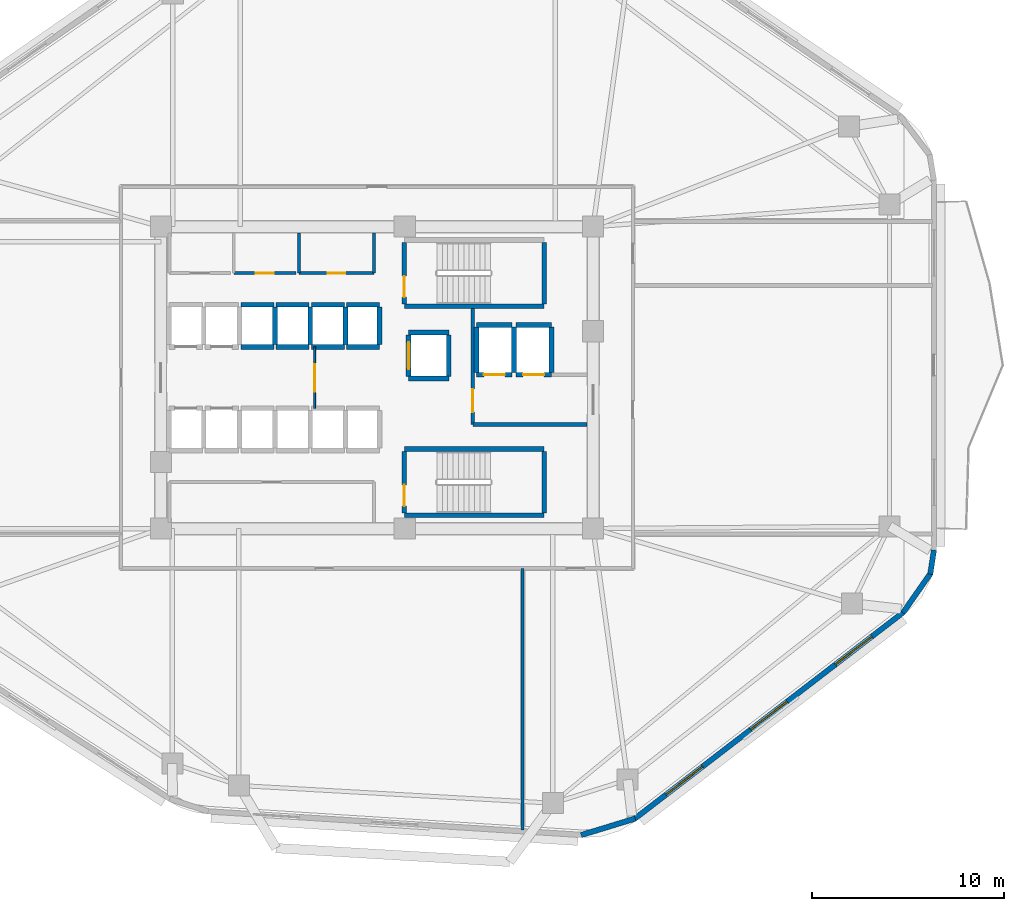
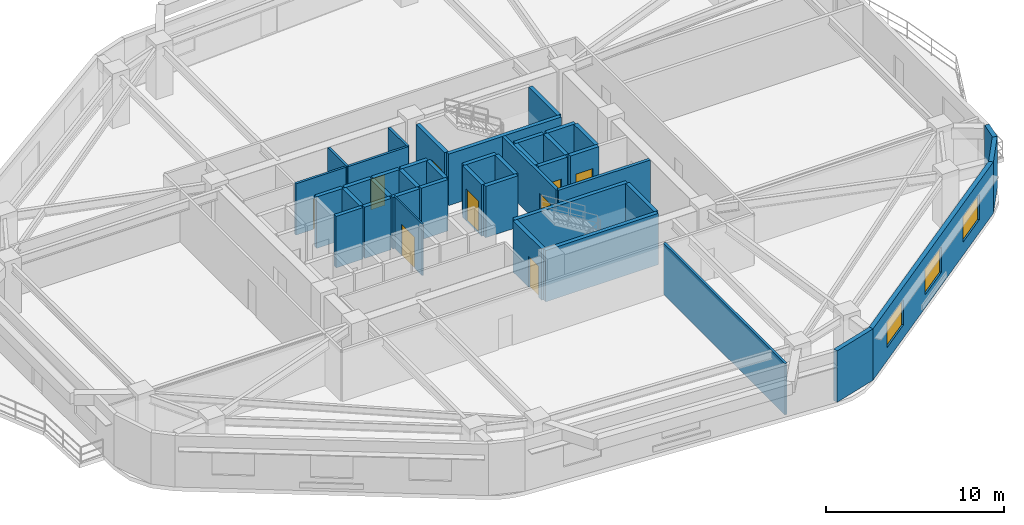
# One storey, part 4 of 9: 42 walls, 9 doors, 3 windows, 12 openings.
"""IFC4 building model written with IfcOpenShell, lengths in metres."""

from ifc_helpers import new_model, si_unit, direction, frame, frame_2d, origin, place, context, subcontext, project, spatial, rectangle, extrude, material, layer, layer_set, type_object, element, fill, save


model = new_model("IFC4")

# Units and contexts
model_context = context("Model", 3, precision=1e-05, world=origin(), true_north=direction((0.0, 1.0)))
body_context = subcontext(model_context, "Body", "Model", "MODEL_VIEW")
ifc_project = project(units=[si_unit("LENGTHUNIT", "METRE"), si_unit("AREAUNIT", "SQUARE_METRE"), si_unit("VOLUMEUNIT", "CUBIC_METRE"), si_unit("PLANEANGLEUNIT", "RADIAN"), si_unit("MASSUNIT", "GRAM", prefix="KILO")], contexts=[model_context])

# Site, building, storey
site_placement = place(None, origin())
site = spatial("IfcSite", under=ifc_project, at=site_placement, CompositionType="ELEMENT")
building_placement = place(site_placement, origin())
building = spatial("IfcBuilding", under=site, at=building_placement, Name="Zulverin Broadcast Headquarters", CompositionType="ELEMENT")
storey_placement = place(building_placement, frame((0.0, 0.0, 104.800048828125)))
storey = spatial("IfcBuildingStorey", under=building, at=storey_placement, Name="L26", CompositionType="ELEMENT", Elevation=104.800048828125)

# Wall, openings, windows
ifc_material_1 = material(Name="Insulated pale-metal clad concrete spandrel C40/50", Category="concrete")
ifc_layer_1 = layer(ifc_material_1, 0.280029296875, Name="Insulated pale-metal clad concrete spandrel C40/50", Category="concrete")
ifc_layer_set_1 = layer_set([ifc_layer_1], Name="Insulated pale-metal clad concrete spandrel C40/50")
wall_type_1 = type_object("IfcWallType", Name="WL-EXT-280", PredefinedType="STANDARD", material=ifc_layer_set_1)
wall_1_placement = place(storey_placement, frame((50.4287109375, 2.171630859375, 0.0), z_axis=(0.0, 0.0, 1.0), x_axis=(0.792937466367, 0.609303023488, 0.0)))
wall_1 = element("IfcWall", 1, at=wall_1_placement, inside=storey, type_object=wall_type_1, Name="L26 Pale-Metal Clad Spandrel Wall 2", PredefinedType="STANDARD", context=body_context, shape_type="SweptSolid", body=[
    extrude(rectangle(XDim=17.712890625, YDim=0.280029296875, at=frame_2d((8.8564453125, 0.0))), origin(), (0.0, 0.0, 1.0), 3.52490234375),
])
opening_1_placement = place(wall_1_placement, frame((2.08544921875, 0.0, 0.89990234375)))
opening_1 = element("IfcOpeningElement", 2, at=opening_1_placement, cuts=wall_1, Name="Opening W-L26-E21", PredefinedType="OPENING", context=body_context, shape_type="SweptSolid", body=[
    extrude(rectangle(XDim=2.39990234375, YDim=1.75, at=frame_2d((1.199951171875, 0.875))), frame((0.0, 0.14990234375, 0.0), z_axis=(0.0, -1.0, 0.0), x_axis=(1.0, 0.0, 0.0)), (0.0, 0.0, 1.0), 0.300048828125),
])
opening_2_placement = place(wall_1_placement, frame((7.656494140625, 0.0, 0.89990234375)))
opening_2 = element("IfcOpeningElement", 3, at=opening_2_placement, cuts=wall_1, Name="Opening W-L26-E22", PredefinedType="OPENING", context=body_context, shape_type="SweptSolid", body=[
    extrude(rectangle(XDim=2.39990234375, YDim=1.75, at=frame_2d((1.199951171875, 0.875))), frame((0.0, 0.14990234375, 0.0), z_axis=(0.0, -1.0, 0.0), x_axis=(1.0, 0.0, 0.0)), (0.0, 0.0, 1.0), 0.300048828125),
])
opening_3_placement = place(wall_1_placement, frame((13.227294921875, 0.0, 0.89990234375)))
opening_3 = element("IfcOpeningElement", 4, at=opening_3_placement, cuts=wall_1, Name="Opening W-L26-E23", PredefinedType="OPENING", context=body_context, shape_type="SweptSolid", body=[
    extrude(rectangle(XDim=2.39990234375, YDim=1.75, at=frame_2d((1.199951171875, 0.875))), frame((0.0, 0.14990234375, 0.0), z_axis=(0.0, -1.0, 0.0), x_axis=(1.0, 0.0, 0.0)), (0.0, 0.0, 1.0), 0.300048828125),
])
ifc_material_2 = material(Name="Pale anodized aluminium frame with solar-control low-E double glazing", Category="aluminium")
window_type = type_object("IfcWindowType", Name="WIN-RIB-2400", PartitioningType="SINGLE_PANEL", PredefinedType="WINDOW", material=ifc_material_2)
window_1_placement = place(opening_1_placement, origin())
window_1 = element("IfcWindow", 5, at=window_1_placement, inside=storey, type_object=window_type, Name="L26 Ribbon Glazing Window 2 1", OverallHeight=1.75, OverallWidth=2.39990234375, PartitioningType="SINGLE_PANEL", PredefinedType="WINDOW", context=body_context, shape_type="SweptSolid", body=[
    extrude(rectangle(XDim=2.39990234375, YDim=1.75, at=frame_2d((1.199951171875, 0.875))), frame((0.0, 0.030029296875, 0.0), z_axis=(0.0, -1.0, 0.0), x_axis=(1.0, 0.0, 0.0)), (0.0, 0.0, 1.0), 0.06005859375),
])
fill(opening_1, window_1)
window_2_placement = place(opening_2_placement, origin())
window_2 = element("IfcWindow", 6, at=window_2_placement, inside=storey, type_object=window_type, Name="L26 Ribbon Glazing Window 2 2", OverallHeight=1.75, OverallWidth=2.39990234375, PartitioningType="SINGLE_PANEL", PredefinedType="WINDOW", context=body_context, shape_type="SweptSolid", body=[
    extrude(rectangle(XDim=2.39990234375, YDim=1.75, at=frame_2d((1.199951171875, 0.875))), frame((0.0, 0.030029296875, 0.0), z_axis=(0.0, -1.0, 0.0), x_axis=(1.0, 0.0, 0.0)), (0.0, 0.0, 1.0), 0.06005859375),
])
fill(opening_2, window_2)
window_3_placement = place(opening_3_placement, origin())
window_3 = element("IfcWindow", 7, at=window_3_placement, inside=storey, type_object=window_type, Name="L26 Ribbon Glazing Window 2 3", OverallHeight=1.75, OverallWidth=2.39990234375, PartitioningType="SINGLE_PANEL", PredefinedType="WINDOW", context=body_context, shape_type="SweptSolid", body=[
    extrude(rectangle(XDim=2.39990234375, YDim=1.75, at=frame_2d((1.199951171875, 0.875))), frame((0.0, 0.030029296875, 0.0), z_axis=(0.0, -1.0, 0.0), x_axis=(1.0, 0.0, 0.0)), (0.0, 0.0, 1.0), 0.06005859375),
])
fill(opening_3, window_3)

# Walls
wall_2_placement = place(storey_placement, frame((47.649658203125, 1.3330078125, 0.0), z_axis=(0.0, 0.0, 1.0), x_axis=(0.956461287977, 0.291859220516, 0.0)))
element("IfcWall", 8, at=wall_2_placement, inside=storey, type_object=wall_type_1, Name="L26 Wind-Shaped Corner Spandrel Wall 1-1", PredefinedType="STANDARD", context=body_context, shape_type="SweptSolid", body=[
    extrude(rectangle(XDim=2.951904296875, YDim=0.280029296875, at=frame_2d((1.47607421875, 0.0))), origin(), (0.0, 0.0, 1.0), 3.52490234375),
])
wall_3_placement = place(storey_placement, frame((64.4443359375, 12.933349609375, 0.0), z_axis=(0.0, 0.0, 1.0), x_axis=(0.573176686443, 0.819431806875, 0.0)))
element("IfcWall", 9, at=wall_3_placement, inside=storey, type_object=wall_type_1, Name="L26 Wind-Shaped Corner Spandrel Wall 2-1", PredefinedType="STANDARD", context=body_context, shape_type="SweptSolid", body=[
    extrude(rectangle(XDim=2.524169921875, YDim=0.280029296875, at=frame_2d((1.26220703125, 0.0))), origin(), (0.0, 0.0, 1.0), 3.52490234375),
])
wall_4_placement = place(storey_placement, frame((65.867431640625, 14.942626953125, 0.0), z_axis=(0.0, 0.0, 1.0), x_axis=(0.152014078361, 0.988378328364, 0.0)))
element("IfcWall", 10, at=wall_4_placement, inside=storey, type_object=wall_type_1, Name="L26 Wind-Shaped Corner Spandrel Wall 2-2", PredefinedType="STANDARD", context=body_context, shape_type="SweptSolid", body=[
    extrude(rectangle(XDim=1.27685546875, YDim=0.280029296875, at=frame_2d((0.638427734375, 0.0))), origin(), (0.0, 0.0, 1.0), 3.52490234375),
])

# Wall, opening, door
ifc_material_3 = material(Name="Concrete C40/50", Category="concrete")
ifc_layer_2 = layer(ifc_material_3, 0.199951171875, Name="Concrete C40/50", Category="concrete")
ifc_layer_set_2 = layer_set([ifc_layer_2], Name="Concrete C40/50")
wall_type_2 = type_object("IfcWallType", Name="WL-FFL-200", PredefinedType="SOLIDWALL", material=ifc_layer_set_2)
wall_5_placement = place(storey_placement, frame((42.0, 22.75, 0.0), z_axis=(0.0, 0.0, 1.0), x_axis=(0.0, 1.0, 0.0)))
wall_5 = element("IfcWall", 11, at=wall_5_placement, inside=storey, type_object=wall_type_2, Name="L26 Firefighting Lift Lobby West Wall", PredefinedType="SOLIDWALL", context=body_context, shape_type="SweptSolid", body=[
    extrude(rectangle(XDim=6.050048828125, YDim=0.199951171875, at=frame_2d((3.02490234375, 0.0))), origin(), (0.0, 0.0, 1.0), 3.52490234375),
])
opening_4_placement = place(wall_5_placement, frame((0.64990234375, 0.0, 0.0)))
opening_4 = element("IfcOpeningElement", 12, at=opening_4_placement, cuts=wall_5, Name="Opening D-L26-FFLW", PredefinedType="OPENING", context=body_context, shape_type="SweptSolid", body=[
    extrude(rectangle(XDim=1.199951171875, YDim=2.14990234375, at=frame_2d((0.60009765625, 1.074951171875))), frame((0.0, 0.10986328125, 0.0), z_axis=(0.0, -1.0, 0.0), x_axis=(1.0, 0.0, 0.0)), (0.0, 0.0, 1.0), 0.219970703125),
])
ifc_material_4 = material(Name="Fire-rated steel leaf and frame", Category="steel")
door_type_1 = type_object("IfcDoorType", Name="DR-FFL-1200", OperationType="SINGLE_SWING_RIGHT", PredefinedType="DOOR", material=ifc_material_4)
door_1_placement = place(opening_4_placement, origin())
door_1 = element("IfcDoor", 13, at=door_1_placement, inside=storey, type_object=door_type_1, Name="L26 Firefighting Lift Lobby Door", OperationType="SINGLE_SWING_RIGHT", OverallHeight=2.14990234375, OverallWidth=1.199951171875, PredefinedType="DOOR", context=body_context, shape_type="SweptSolid", body=[
    extrude(rectangle(XDim=1.199951171875, YDim=2.14990234375, at=frame_2d((0.60009765625, 1.074951171875))), frame((0.0, 0.02490234375, 0.0), z_axis=(0.0, -1.0, 0.0), x_axis=(1.0, 0.0, 0.0)), (0.0, 0.0, 1.0), 0.050048828125),
])
fill(opening_4, door_1)

# Wall
wall_6_placement = place(storey_placement, frame((42.0, 22.75, 0.0), z_axis=(0.0, 0.0, 1.0), x_axis=(1.0, 0.0, 0.0)))
element("IfcWall", 14, at=wall_6_placement, inside=storey, type_object=wall_type_2, Name="L26 Firefighting Lift Lobby South Wall", PredefinedType="SOLIDWALL", context=body_context, shape_type="SweptSolid", body=[
    extrude(rectangle(XDim=5.949951171875, YDim=0.199951171875, at=frame_2d((2.97509765625, 0.0))), origin(), (0.0, 0.0, 1.0), 3.52490234375),
])

# Wall, opening, door
ifc_material_5 = material(Name="Fire-rated acoustic laminated glass screen", Category="glass")
ifc_layer_3 = layer(ifc_material_5, 0.10009765625, Name="Fire-rated acoustic laminated glass screen", Category="glass")
ifc_layer_set_3 = layer_set([ifc_layer_3], Name="Fire-rated acoustic laminated glass screen")
wall_type_3 = type_object("IfcWallType", Name="WL-GLAZ-100", PredefinedType="PARTITIONING", material=ifc_layer_set_3)
wall_7_placement = place(storey_placement, frame((33.75, 23.60009765625, 0.0), z_axis=(0.0, 0.0, 1.0), x_axis=(0.0, 1.0, 0.0)))
wall_7 = element("IfcWall", 15, at=wall_7_placement, inside=storey, type_object=wall_type_3, Name="L26 Core Lobby Acoustic Screen", PredefinedType="PARTITIONING", context=body_context, shape_type="SweptSolid", body=[
    extrude(rectangle(XDim=3.199951171875, YDim=0.10009765625, at=frame_2d((1.60009765625, 0.0))), origin(), (0.0, 0.0, 1.0), 3.52490234375),
])
opening_5_placement = place(wall_7_placement, frame((0.85009765625, 0.0, 0.0)))
opening_5 = element("IfcOpeningElement", 16, at=opening_5_placement, cuts=wall_7, Name="Opening D-L26-CL1", PredefinedType="OPENING", context=body_context, shape_type="SweptSolid", body=[
    extrude(rectangle(XDim=1.449951171875, YDim=2.1201171875, at=frame_2d((0.72509765625, 1.06005859375))), frame((0.0, 0.06005859375, 0.0), z_axis=(0.0, -1.0, 0.0), x_axis=(1.0, 0.0, 0.0)), (0.0, 0.0, 1.0), 0.1201171875),
])
ifc_material_6 = material(Name="Fire-rated acoustic glazed double leaf", Category="glass")
door_type_2 = type_object("IfcDoorType", Name="DR-GLZ-1450", OperationType="DOUBLE_DOOR_SINGLE_SWING", PredefinedType="DOOR", material=ifc_material_6)
door_2_placement = place(opening_5_placement, origin())
door_2 = element("IfcDoor", 17, at=door_2_placement, inside=storey, type_object=door_type_2, Name="L26 Core Lobby Vestibule Door", OperationType="DOUBLE_DOOR_SINGLE_SWING", OverallHeight=2.1201171875, OverallWidth=1.449951171875, PredefinedType="DOOR", context=body_context, shape_type="SweptSolid", body=[
    extrude(rectangle(XDim=1.449951171875, YDim=2.1201171875, at=frame_2d((0.72509765625, 1.06005859375))), frame((0.0, 0.02490234375, 0.0), z_axis=(0.0, -1.0, 0.0), x_axis=(1.0, 0.0, 0.0)), (0.0, 0.0, 1.0), 0.050048828125),
])
fill(opening_5, door_2)

ifc_material_7 = material(Name="Fire-rated gypsum stud partition", Category="gypsum")
ifc_layer_4 = layer(ifc_material_7, 0.14990234375, Name="Fire-rated gypsum stud partition", Category="gypsum")
ifc_layer_set_4 = layer_set([ifc_layer_4], Name="Fire-rated gypsum stud partition")
wall_type_4 = type_object("IfcWallType", Name="WL-PART-150", PredefinedType="PARTITIONING", material=ifc_layer_set_4)
wall_8_placement = place(storey_placement, frame((29.530029296875, 30.64990234375, 0.0), z_axis=(0.0, 0.0, 1.0), x_axis=(1.0, 0.0, 0.0)))
wall_8 = element("IfcWall", 18, at=wall_8_placement, inside=storey, type_object=wall_type_4, Name="L26 Core Male WC Front Wall", PredefinedType="PARTITIONING", context=body_context, shape_type="SweptSolid", body=[
    extrude(rectangle(XDim=3.239990234375, YDim=0.14990234375, at=frame_2d((1.6201171875, 0.0))), origin(), (0.0, 0.0, 1.0), 3.52490234375),
])
opening_6_placement = place(wall_8_placement, frame((1.14501953125, 0.0, 0.0)))
opening_6 = element("IfcOpeningElement", 19, at=opening_6_placement, cuts=wall_8, Name="Opening D-L26-NC2", PredefinedType="OPENING", context=body_context, shape_type="SweptSolid", body=[
    extrude(rectangle(XDim=0.949951171875, YDim=2.10009765625, at=frame_2d((0.47509765625, 1.050048828125))), frame((0.0, 0.0849609375, 0.0), z_axis=(0.0, -1.0, 0.0), x_axis=(1.0, 0.0, 0.0)), (0.0, 0.0, 1.0), 0.169921875),
])
ifc_material_8 = material(Name="Fire-rated moisture-resistant laminate leaf", Category="wood")
door_type_3 = type_object("IfcDoorType", Name="DR-WC-950", OperationType="SINGLE_SWING_LEFT", PredefinedType="DOOR", material=ifc_material_8)
door_3_placement = place(opening_6_placement, origin())
door_3 = element("IfcDoor", 20, at=door_3_placement, inside=storey, type_object=door_type_3, Name="L26 Male WC Door", OperationType="SINGLE_SWING_RIGHT", OverallHeight=2.10009765625, OverallWidth=0.949951171875, PredefinedType="DOOR", context=body_context, shape_type="SweptSolid", body=[
    extrude(rectangle(XDim=0.949951171875, YDim=2.10009765625, at=frame_2d((0.47509765625, 1.050048828125))), frame((0.0, 0.02490234375, 0.0), z_axis=(0.0, -1.0, 0.0), x_axis=(1.0, 0.0, 0.0)), (0.0, 0.0, 1.0), 0.050048828125),
])
fill(opening_6, door_3)

wall_9_placement = place(storey_placement, frame((32.929931640625, 30.64990234375, 0.0), z_axis=(0.0, 0.0, 1.0), x_axis=(1.0, 0.0, 0.0)))
wall_9 = element("IfcWall", 21, at=wall_9_placement, inside=storey, type_object=wall_type_4, Name="L26 Core Electrical Switch Riser Front Wall", PredefinedType="PARTITIONING", context=body_context, shape_type="SweptSolid", body=[
    extrude(rectangle(XDim=3.920166015625, YDim=0.14990234375, at=frame_2d((1.9599609375, 0.0))), origin(), (0.0, 0.0, 1.0), 3.52490234375),
])
opening_7_placement = place(wall_9_placement, frame((1.510009765625, 0.0, 0.0)))
opening_7 = element("IfcOpeningElement", 22, at=opening_7_placement, cuts=wall_9, Name="Opening D-L26-NC3", PredefinedType="OPENING", context=body_context, shape_type="SweptSolid", body=[
    extrude(rectangle(XDim=0.89990234375, YDim=2.10009765625, at=frame_2d((0.449951171875, 1.050048828125))), frame((0.0, 0.0849609375, 0.0), z_axis=(0.0, -1.0, 0.0), x_axis=(1.0, 0.0, 0.0)), (0.0, 0.0, 1.0), 0.169921875),
])
ifc_material_9 = material(Name="Powder-coated steel access leaf", Category="steel")
door_type_4 = type_object("IfcDoorType", Name="DR-RISER-900", OperationType="SINGLE_SWING_LEFT", PredefinedType="DOOR", material=ifc_material_9)
door_4_placement = place(opening_7_placement, origin())
door_4 = element("IfcDoor", 23, at=door_4_placement, inside=storey, type_object=door_type_4, Name="L26 Electrical Switch Riser Door", OperationType="SINGLE_SWING_LEFT", OverallHeight=2.10009765625, OverallWidth=0.89990234375, PredefinedType="DOOR", context=body_context, shape_type="SweptSolid", body=[
    extrude(rectangle(XDim=0.89990234375, YDim=2.10009765625, at=frame_2d((0.449951171875, 1.050048828125))), frame((0.0, 0.02490234375, 0.0), z_axis=(0.0, -1.0, 0.0), x_axis=(1.0, 0.0, 0.0)), (0.0, 0.0, 1.0), 0.050048828125),
])
fill(opening_7, door_4)

# Walls
for number, where, z_axis, x_axis, name in (
    (24, (32.929931640625, 30.64990234375, 0.0), (0.0, 0.0, 1.0), (0.0, 1.0, 0.0), "L26 Core Electrical Switch Riser West Wall"),
    (25, (36.85009765625, 30.64990234375, 0.0), (0.0, 0.0, 1.0), (0.0, 1.0, 0.0), "L26 Core Electrical Switch Riser East Wall"),
):
    element("IfcWall", number, at=place(storey_placement, frame(where, z_axis=z_axis, x_axis=x_axis)), inside=storey, type_object=wall_type_4, Name=name, PredefinedType="PARTITIONING", context=body_context, shape_type="SweptSolid", body=[
        extrude(rectangle(XDim=2.10009765625, YDim=0.14990234375, at=frame_2d((1.050048828125, 0.0))), origin(), (0.0, 0.0, 1.0), 3.52490234375),
    ])
wall_10_placement = place(storey_placement, frame((44.60009765625, 1.59912109375, 0.0), z_axis=(0.0, 0.0, 1.0), x_axis=(0.0, 1.0, 0.0)))
element("IfcWall", 26, at=wall_10_placement, inside=storey, type_object=wall_type_4, Name="L26 Room Partition Wall RP-02", PredefinedType="PARTITIONING", context=body_context, shape_type="SweptSolid", body=[
    extrude(rectangle(XDim=13.65087890625, YDim=0.14990234375, at=frame_2d((6.825439453125, 0.0))), origin(), (0.0, 0.0, 1.0), 3.52490234375),
])
ifc_material_10 = material(Name="Concrete C50/60", Category="concrete")
ifc_layer_5 = layer(ifc_material_10, 0.25, Name="Concrete C50/60", Category="concrete")
ifc_layer_set_5 = layer_set([ifc_layer_5], Name="Concrete C50/60")
wall_type_5 = type_object("IfcWallType", Name="WL-SHAFT-250", PredefinedType="SHEAR", material=ifc_layer_set_5)
wall_11_placement = place(storey_placement, frame((38.425048828125, 28.925048828125, 0.0), z_axis=(0.0, 0.0, 1.0), x_axis=(1.0, 0.0, 0.0)))
element("IfcWall", 27, at=wall_11_placement, inside=storey, type_object=wall_type_5, Name="L26 ST-1 Enclosure Wall S", PredefinedType="SHEAR", context=body_context, shape_type="SweptSolid", body=[
    extrude(rectangle(XDim=7.300048828125, YDim=0.25, at=frame_2d((3.64990234375, 0.0))), origin(), (0.0, 0.0, 1.0), 3.52490234375),
])

# Wall, opening, door
wall_12_placement = place(storey_placement, frame((38.425048828125, 29.050048828125, 0.0), z_axis=(0.0, 0.0, 1.0), x_axis=(0.0, 1.0, 0.0)))
wall_12 = element("IfcWall", 28, at=wall_12_placement, inside=storey, type_object=wall_type_5, Name="L26 ST-1 Enclosure Wall W", PredefinedType="SHEAR", context=body_context, shape_type="SweptSolid", body=[
    extrude(rectangle(XDim=3.199951171875, YDim=0.25, at=frame_2d((1.60009765625, 0.0))), origin(), (0.0, 0.0, 1.0), 3.52490234375),
])
opening_8_placement = place(wall_12_placement, frame((0.35009765625, 0.0, 0.0)))
opening_8 = element("IfcOpeningElement", 29, at=opening_8_placement, cuts=wall_12, Name="Opening D-L26-ST-1", PredefinedType="OPENING", context=body_context, shape_type="SweptSolid", body=[
    extrude(rectangle(XDim=1.10009765625, YDim=2.14990234375, at=frame_2d((0.550048828125, 1.074951171875))), frame((0.0, 0.135009765625, 0.0), z_axis=(0.0, -1.0, 0.0), x_axis=(1.0, 0.0, 0.0)), (0.0, 0.0, 1.0), 0.27001953125),
])
door_type_5 = type_object("IfcDoorType", Name="DR-STAIR-1100", OperationType="SINGLE_SWING_LEFT", PredefinedType="DOOR", material=ifc_material_4)
door_5_placement = place(opening_8_placement, origin())
door_5 = element("IfcDoor", 30, at=door_5_placement, inside=storey, type_object=door_type_5, Name="L26 Exit Stair ST-1 Fire Door", OperationType="SINGLE_SWING_LEFT", OverallHeight=2.14990234375, OverallWidth=1.10009765625, PredefinedType="DOOR", context=body_context, shape_type="SweptSolid", body=[
    extrude(rectangle(XDim=1.10009765625, YDim=2.14990234375, at=frame_2d((0.550048828125, 1.074951171875))), frame((0.0, 0.02490234375, 0.0), z_axis=(0.0, -1.0, 0.0), x_axis=(1.0, 0.0, 0.0)), (0.0, 0.0, 1.0), 0.050048828125),
])
fill(opening_8, door_5)

# Walls
wall_13_placement = place(storey_placement, frame((45.72509765625, 29.050048828125, 0.0), z_axis=(0.0, 0.0, 1.0), x_axis=(0.0, 1.0, 0.0)))
element("IfcWall", 31, at=wall_13_placement, inside=storey, type_object=wall_type_5, Name="L26 ST-1 Enclosure Wall E", PredefinedType="SHEAR", context=body_context, shape_type="SweptSolid", body=[
    extrude(rectangle(XDim=3.199951171875, YDim=0.25, at=frame_2d((1.60009765625, 0.0))), origin(), (0.0, 0.0, 1.0), 3.52490234375),
])
for number, where, z_axis, x_axis, name in (
    (32, (38.425048828125, 18.02490234375, 0.0), (0.0, 0.0, 1.0), (1.0, 0.0, 0.0), "L26 ST-2 Enclosure Wall S"),
    (33, (38.425048828125, 21.47509765625, 0.0), (0.0, 0.0, 1.0), (1.0, 0.0, 0.0), "L26 ST-2 Enclosure Wall N"),
):
    element("IfcWall", number, at=place(storey_placement, frame(where, z_axis=z_axis, x_axis=x_axis)), inside=storey, type_object=wall_type_5, Name=name, PredefinedType="SHEAR", context=body_context, shape_type="SweptSolid", body=[
        extrude(rectangle(XDim=7.300048828125, YDim=0.25, at=frame_2d((3.64990234375, 0.0))), origin(), (0.0, 0.0, 1.0), 3.52490234375),
    ])

# Wall, opening, door
wall_14_placement = place(storey_placement, frame((38.425048828125, 18.14990234375, 0.0), z_axis=(0.0, 0.0, 1.0), x_axis=(0.0, 1.0, 0.0)))
wall_14 = element("IfcWall", 34, at=wall_14_placement, inside=storey, type_object=wall_type_5, Name="L26 ST-2 Enclosure Wall W", PredefinedType="SHEAR", context=body_context, shape_type="SweptSolid", body=[
    extrude(rectangle(XDim=3.2001953125, YDim=0.25, at=frame_2d((1.60009765625, 0.0))), origin(), (0.0, 0.0, 1.0), 3.52490234375),
])
opening_9_placement = place(wall_14_placement, frame((0.35009765625, 0.0, 0.0)))
opening_9 = element("IfcOpeningElement", 35, at=opening_9_placement, cuts=wall_14, Name="Opening D-L26-ST-2", PredefinedType="OPENING", context=body_context, shape_type="SweptSolid", body=[
    extrude(rectangle(XDim=1.10009765625, YDim=2.14990234375, at=frame_2d((0.550048828125, 1.074951171875))), frame((0.0, 0.135009765625, 0.0), z_axis=(0.0, -1.0, 0.0), x_axis=(1.0, 0.0, 0.0)), (0.0, 0.0, 1.0), 0.27001953125),
])
door_6_placement = place(opening_9_placement, origin())
door_6 = element("IfcDoor", 36, at=door_6_placement, inside=storey, type_object=door_type_5, Name="L26 Exit Stair ST-2 Fire Door", OperationType="SINGLE_SWING_RIGHT", OverallHeight=2.14990234375, OverallWidth=1.10009765625, PredefinedType="DOOR", context=body_context, shape_type="SweptSolid", body=[
    extrude(rectangle(XDim=1.10009765625, YDim=2.14990234375, at=frame_2d((0.550048828125, 1.074951171875))), frame((0.0, 0.02490234375, 0.0), z_axis=(0.0, -1.0, 0.0), x_axis=(1.0, 0.0, 0.0)), (0.0, 0.0, 1.0), 0.050048828125),
])
fill(opening_9, door_6)

# Walls
wall_15_placement = place(storey_placement, frame((45.72509765625, 18.14990234375, 0.0), z_axis=(0.0, 0.0, 1.0), x_axis=(0.0, 1.0, 0.0)))
element("IfcWall", 37, at=wall_15_placement, inside=storey, type_object=wall_type_5, Name="L26 ST-2 Enclosure Wall E", PredefinedType="SHEAR", context=body_context, shape_type="SweptSolid", body=[
    extrude(rectangle(XDim=3.2001953125, YDim=0.25, at=frame_2d((1.60009765625, 0.0))), origin(), (0.0, 0.0, 1.0), 3.52490234375),
])
for number, where, z_axis, x_axis, name in (
    (38, (29.89990234375, 26.800048828125, 0.0), (0.0, 0.0, 1.0), (1.0, 0.0, 0.0), "L26 Lift PL-H1 Shaft Wall S"),
    (39, (29.89990234375, 29.0, 0.0), (0.0, 0.0, 1.0), (1.0, 0.0, 0.0), "L26 Lift PL-H1 Shaft Wall N"),
):
    element("IfcWall", number, at=place(storey_placement, frame(where, z_axis=z_axis, x_axis=x_axis)), inside=storey, type_object=wall_type_5, Name=name, PredefinedType="SHEAR", context=body_context, shape_type="SweptSolid", body=[
        extrude(rectangle(XDim=1.72021484375, YDim=0.25, at=frame_2d((0.860107421875, 0.0))), origin(), (0.0, 0.0, 1.0), 3.52490234375),
    ])
wall_16_placement = place(storey_placement, frame((31.679931640625, 26.919921875, 0.0), z_axis=(0.0, 0.0, 1.0), x_axis=(0.0, 1.0, 0.0)))
element("IfcWall", 40, at=wall_16_placement, inside=storey, type_object=wall_type_5, Name="L26 Lift PL-H1 Shaft Wall E", PredefinedType="SHEAR", context=body_context, shape_type="SweptSolid", body=[
    extrude(rectangle(XDim=1.9599609375, YDim=0.25, at=frame_2d((0.97998046875, 0.0))), origin(), (0.0, 0.0, 1.0), 3.52490234375),
])
for number, where, z_axis, x_axis, name in (
    (41, (31.739990234375, 26.800048828125, 0.0), (0.0, 0.0, 1.0), (1.0, 0.0, 0.0), "L26 Lift PL-H2 Shaft Wall S"),
    (42, (31.739990234375, 29.0, 0.0), (0.0, 0.0, 1.0), (1.0, 0.0, 0.0), "L26 Lift PL-H2 Shaft Wall N"),
):
    element("IfcWall", number, at=place(storey_placement, frame(where, z_axis=z_axis, x_axis=x_axis)), inside=storey, type_object=wall_type_5, Name=name, PredefinedType="SHEAR", context=body_context, shape_type="SweptSolid", body=[
        extrude(rectangle(XDim=1.719970703125, YDim=0.25, at=frame_2d((0.85986328125, 0.0))), origin(), (0.0, 0.0, 1.0), 3.52490234375),
    ])
wall_17_placement = place(storey_placement, frame((33.52001953125, 26.919921875, 0.0), z_axis=(0.0, 0.0, 1.0), x_axis=(0.0, 1.0, 0.0)))
element("IfcWall", 43, at=wall_17_placement, inside=storey, type_object=wall_type_5, Name="L26 Lift PL-H2 Shaft Wall E", PredefinedType="SHEAR", context=body_context, shape_type="SweptSolid", body=[
    extrude(rectangle(XDim=1.9599609375, YDim=0.25, at=frame_2d((0.97998046875, 0.0))), origin(), (0.0, 0.0, 1.0), 3.52490234375),
])
for number, where, z_axis, x_axis, name in (
    (44, (33.580078125, 26.800048828125, 0.0), (0.0, 0.0, 1.0), (1.0, 0.0, 0.0), "L26 Lift PL-H3 Shaft Wall S"),
    (45, (33.580078125, 29.0, 0.0), (0.0, 0.0, 1.0), (1.0, 0.0, 0.0), "L26 Lift PL-H3 Shaft Wall N"),
):
    element("IfcWall", number, at=place(storey_placement, frame(where, z_axis=z_axis, x_axis=x_axis)), inside=storey, type_object=wall_type_5, Name=name, PredefinedType="SHEAR", context=body_context, shape_type="SweptSolid", body=[
        extrude(rectangle(XDim=1.719970703125, YDim=0.25, at=frame_2d((0.85986328125, 0.0))), origin(), (0.0, 0.0, 1.0), 3.52490234375),
    ])
wall_18_placement = place(storey_placement, frame((35.360107421875, 26.919921875, 0.0), z_axis=(0.0, 0.0, 1.0), x_axis=(0.0, 1.0, 0.0)))
element("IfcWall", 46, at=wall_18_placement, inside=storey, type_object=wall_type_5, Name="L26 Lift PL-H3 Shaft Wall E", PredefinedType="SHEAR", context=body_context, shape_type="SweptSolid", body=[
    extrude(rectangle(XDim=1.9599609375, YDim=0.25, at=frame_2d((0.97998046875, 0.0))), origin(), (0.0, 0.0, 1.0), 3.52490234375),
])
for number, where, z_axis, x_axis, name in (
    (47, (35.419921875, 26.800048828125, 0.0), (0.0, 0.0, 1.0), (1.0, 0.0, 0.0), "L26 Lift PL-H4 Shaft Wall S"),
    (48, (35.419921875, 29.0, 0.0), (0.0, 0.0, 1.0), (1.0, 0.0, 0.0), "L26 Lift PL-H4 Shaft Wall N"),
):
    element("IfcWall", number, at=place(storey_placement, frame(where, z_axis=z_axis, x_axis=x_axis)), inside=storey, type_object=wall_type_5, Name=name, PredefinedType="SHEAR", context=body_context, shape_type="SweptSolid", body=[
        extrude(rectangle(XDim=1.719970703125, YDim=0.25, at=frame_2d((0.85986328125, 0.0))), origin(), (0.0, 0.0, 1.0), 3.52490234375),
    ])
wall_19_placement = place(storey_placement, frame((37.139892578125, 26.919921875, 0.0), z_axis=(0.0, 0.0, 1.0), x_axis=(0.0, 1.0, 0.0)))
element("IfcWall", 49, at=wall_19_placement, inside=storey, type_object=wall_type_5, Name="L26 Lift PL-H4 Shaft Wall E", PredefinedType="SHEAR", context=body_context, shape_type="SweptSolid", body=[
    extrude(rectangle(XDim=1.9599609375, YDim=0.25, at=frame_2d((0.97998046875, 0.0))), origin(), (0.0, 0.0, 1.0), 3.52490234375),
])

# Wall, opening, door
wall_20_placement = place(storey_placement, frame((42.199951171875, 25.35009765625, 0.0), z_axis=(0.0, 0.0, 1.0), x_axis=(1.0, 0.0, 0.0)))
wall_20 = element("IfcWall", 50, at=wall_20_placement, inside=storey, type_object=wall_type_5, Name="L26 Lift FFL-1 Shaft Wall S", PredefinedType="SHEAR", context=body_context, shape_type="SweptSolid", body=[
    extrude(rectangle(XDim=1.85009765625, YDim=0.25, at=frame_2d((0.925048828125, 0.0))), origin(), (0.0, 0.0, 1.0), 3.52490234375),
])
opening_10_placement = place(wall_20_placement, frame((0.375, 0.0, 0.0)))
opening_10 = element("IfcOpeningElement", 51, at=opening_10_placement, cuts=wall_20, Name="Opening LD-FFL-1-L26", PredefinedType="OPENING", context=body_context, shape_type="SweptSolid", body=[
    extrude(rectangle(XDim=1.10009765625, YDim=2.14990234375, at=frame_2d((0.550048828125, 1.074951171875))), frame((0.0, 0.135009765625, 0.0), z_axis=(0.0, -1.0, 0.0), x_axis=(1.0, 0.0, 0.0)), (0.0, 0.0, 1.0), 0.27001953125),
])
ifc_material_11 = material(Name="Fire-rated stainless landing door", Category="steel")
door_type_6 = type_object("IfcDoorType", Name="LD-FFL-1100", OperationType="DOUBLE_DOOR_SLIDING", PredefinedType="DOOR", material=ifc_material_11)
door_7_placement = place(opening_10_placement, origin())
door_7 = element("IfcDoor", 52, at=door_7_placement, inside=storey, type_object=door_type_6, Name="L26 Lift FFL-1 Sliding Landing Door", OperationType="DOUBLE_DOOR_SLIDING", OverallHeight=2.14990234375, OverallWidth=1.10009765625, PredefinedType="DOOR", context=body_context, shape_type="SweptSolid", body=[
    extrude(rectangle(XDim=1.10009765625, YDim=2.14990234375, at=frame_2d((0.550048828125, 1.074951171875))), frame((0.0, 0.02490234375, 0.0), z_axis=(0.0, -1.0, 0.0), x_axis=(1.0, 0.0, 0.0)), (0.0, 0.0, 1.0), 0.050048828125),
])
fill(opening_10, door_7)

# Walls
wall_21_placement = place(storey_placement, frame((42.199951171875, 27.949951171875, 0.0), z_axis=(0.0, 0.0, 1.0), x_axis=(1.0, 0.0, 0.0)))
element("IfcWall", 53, at=wall_21_placement, inside=storey, type_object=wall_type_5, Name="L26 Lift FFL-1 Shaft Wall N", PredefinedType="SHEAR", context=body_context, shape_type="SweptSolid", body=[
    extrude(rectangle(XDim=1.85009765625, YDim=0.25, at=frame_2d((0.925048828125, 0.0))), origin(), (0.0, 0.0, 1.0), 3.52490234375),
])
for number, where, z_axis, x_axis, name in (
    (54, (42.199951171875, 25.469970703125, 0.0), (0.0, 0.0, 1.0), (0.0, 1.0, 0.0), "L26 Lift FFL-1 Shaft Wall W"),
    (55, (44.14990234375, 25.469970703125, 0.0), (0.0, 0.0, 1.0), (0.0, 1.0, 0.0), "L26 Lift FFL-1 Shaft Wall E"),
):
    element("IfcWall", number, at=place(storey_placement, frame(where, z_axis=z_axis, x_axis=x_axis)), inside=storey, type_object=wall_type_5, Name=name, PredefinedType="SHEAR", context=body_context, shape_type="SweptSolid", body=[
        extrude(rectangle(XDim=2.360107421875, YDim=0.25, at=frame_2d((1.18017578125, 0.0))), origin(), (0.0, 0.0, 1.0), 3.52490234375),
    ])

# Wall, opening, door
wall_22_placement = place(storey_placement, frame((44.25, 25.35009765625, 0.0), z_axis=(0.0, 0.0, 1.0), x_axis=(1.0, 0.0, 0.0)))
wall_22 = element("IfcWall", 56, at=wall_22_placement, inside=storey, type_object=wall_type_5, Name="L26 Lift FFL-2 Shaft Wall S", PredefinedType="SHEAR", context=body_context, shape_type="SweptSolid", body=[
    extrude(rectangle(XDim=1.85009765625, YDim=0.25, at=frame_2d((0.925048828125, 0.0))), origin(), (0.0, 0.0, 1.0), 3.52490234375),
])
opening_11_placement = place(wall_22_placement, frame((0.375, 0.0, 0.0)))
opening_11 = element("IfcOpeningElement", 57, at=opening_11_placement, cuts=wall_22, Name="Opening LD-FFL-2-L26", PredefinedType="OPENING", context=body_context, shape_type="SweptSolid", body=[
    extrude(rectangle(XDim=1.10009765625, YDim=2.14990234375, at=frame_2d((0.550048828125, 1.074951171875))), frame((0.0, 0.135009765625, 0.0), z_axis=(0.0, -1.0, 0.0), x_axis=(1.0, 0.0, 0.0)), (0.0, 0.0, 1.0), 0.27001953125),
])
door_8_placement = place(opening_11_placement, origin())
door_8 = element("IfcDoor", 58, at=door_8_placement, inside=storey, type_object=door_type_6, Name="L26 Lift FFL-2 Sliding Landing Door", OperationType="DOUBLE_DOOR_SLIDING", OverallHeight=2.14990234375, OverallWidth=1.10009765625, PredefinedType="DOOR", context=body_context, shape_type="SweptSolid", body=[
    extrude(rectangle(XDim=1.10009765625, YDim=2.14990234375, at=frame_2d((0.550048828125, 1.074951171875))), frame((0.0, 0.02490234375, 0.0), z_axis=(0.0, -1.0, 0.0), x_axis=(1.0, 0.0, 0.0)), (0.0, 0.0, 1.0), 0.050048828125),
])
fill(opening_11, door_8)

# Walls
wall_23_placement = place(storey_placement, frame((44.25, 27.949951171875, 0.0), z_axis=(0.0, 0.0, 1.0), x_axis=(1.0, 0.0, 0.0)))
element("IfcWall", 59, at=wall_23_placement, inside=storey, type_object=wall_type_5, Name="L26 Lift FFL-2 Shaft Wall N", PredefinedType="SHEAR", context=body_context, shape_type="SweptSolid", body=[
    extrude(rectangle(XDim=1.85009765625, YDim=0.25, at=frame_2d((0.925048828125, 0.0))), origin(), (0.0, 0.0, 1.0), 3.52490234375),
])
wall_24_placement = place(storey_placement, frame((46.10009765625, 25.469970703125, 0.0), z_axis=(0.0, 0.0, 1.0), x_axis=(0.0, 1.0, 0.0)))
element("IfcWall", 60, at=wall_24_placement, inside=storey, type_object=wall_type_5, Name="L26 Lift FFL-2 Shaft Wall E", PredefinedType="SHEAR", context=body_context, shape_type="SweptSolid", body=[
    extrude(rectangle(XDim=2.360107421875, YDim=0.25, at=frame_2d((1.18017578125, 0.0))), origin(), (0.0, 0.0, 1.0), 3.52490234375),
])
for number, where, z_axis, x_axis, name in (
    (61, (38.64990234375, 25.14990234375, 0.0), (0.0, 0.0, 1.0), (1.0, 0.0, 0.0), "L26 Lift SVL-1 Shaft Wall S"),
    (62, (38.64990234375, 27.550048828125, 0.0), (0.0, 0.0, 1.0), (1.0, 0.0, 0.0), "L26 Lift SVL-1 Shaft Wall N"),
):
    element("IfcWall", number, at=place(storey_placement, frame(where, z_axis=z_axis, x_axis=x_axis)), inside=storey, type_object=wall_type_5, Name=name, PredefinedType="SHEAR", context=body_context, shape_type="SweptSolid", body=[
        extrude(rectangle(XDim=2.10009765625, YDim=0.25, at=frame_2d((1.050048828125, 0.0))), origin(), (0.0, 0.0, 1.0), 3.52490234375),
    ])

# Wall, opening, door
wall_25_placement = place(storey_placement, frame((38.64990234375, 25.27001953125, 0.0), z_axis=(0.0, 0.0, 1.0), x_axis=(0.0, 1.0, 0.0)))
wall_25 = element("IfcWall", 63, at=wall_25_placement, inside=storey, type_object=wall_type_5, Name="L26 Lift SVL-1 Shaft Wall W", PredefinedType="SHEAR", context=body_context, shape_type="SweptSolid", body=[
    extrude(rectangle(XDim=2.159912109375, YDim=0.25, at=frame_2d((1.080078125, 0.0))), origin(), (0.0, 0.0, 1.0), 3.52490234375),
])
opening_12_placement = place(wall_25_placement, frame((0.3798828125, 0.0, 0.0)))
opening_12 = element("IfcOpeningElement", 64, at=opening_12_placement, cuts=wall_25, Name="Opening LD-SVL-1-L26", PredefinedType="OPENING", context=body_context, shape_type="SweptSolid", body=[
    extrude(rectangle(XDim=1.39990234375, YDim=2.199951171875, at=frame_2d((0.699951171875, 1.10009765625))), frame((0.0, 0.135009765625, 0.0), z_axis=(0.0, -1.0, 0.0), x_axis=(1.0, 0.0, 0.0)), (0.0, 0.0, 1.0), 0.27001953125),
])
ifc_material_12 = material(Name="Heavy-duty stainless landing door", Category="steel")
door_type_7 = type_object("IfcDoorType", Name="LD-GOODS-1400", OperationType="DOUBLE_DOOR_SLIDING", PredefinedType="DOOR", material=ifc_material_12)
door_9_placement = place(opening_12_placement, origin())
door_9 = element("IfcDoor", 65, at=door_9_placement, inside=storey, type_object=door_type_7, Name="L26 Lift SVL-1 Sliding Landing Door", OperationType="DOUBLE_DOOR_SLIDING", OverallHeight=2.199951171875, OverallWidth=1.39990234375, PredefinedType="DOOR", context=body_context, shape_type="SweptSolid", body=[
    extrude(rectangle(XDim=1.39990234375, YDim=2.199951171875, at=frame_2d((0.699951171875, 1.10009765625))), frame((0.0, 0.02490234375, 0.0), z_axis=(0.0, -1.0, 0.0), x_axis=(1.0, 0.0, 0.0)), (0.0, 0.0, 1.0), 0.050048828125),
])
fill(opening_12, door_9)

# Wall
wall_26_placement = place(storey_placement, frame((40.75, 25.27001953125, 0.0), z_axis=(0.0, 0.0, 1.0), x_axis=(0.0, 1.0, 0.0)))
element("IfcWall", 66, at=wall_26_placement, inside=storey, type_object=wall_type_5, Name="L26 Lift SVL-1 Shaft Wall E", PredefinedType="SHEAR", context=body_context, shape_type="SweptSolid", body=[
    extrude(rectangle(XDim=2.159912109375, YDim=0.25, at=frame_2d((1.080078125, 0.0))), origin(), (0.0, 0.0, 1.0), 3.52490234375),
])

save(model, "model.ifc")
